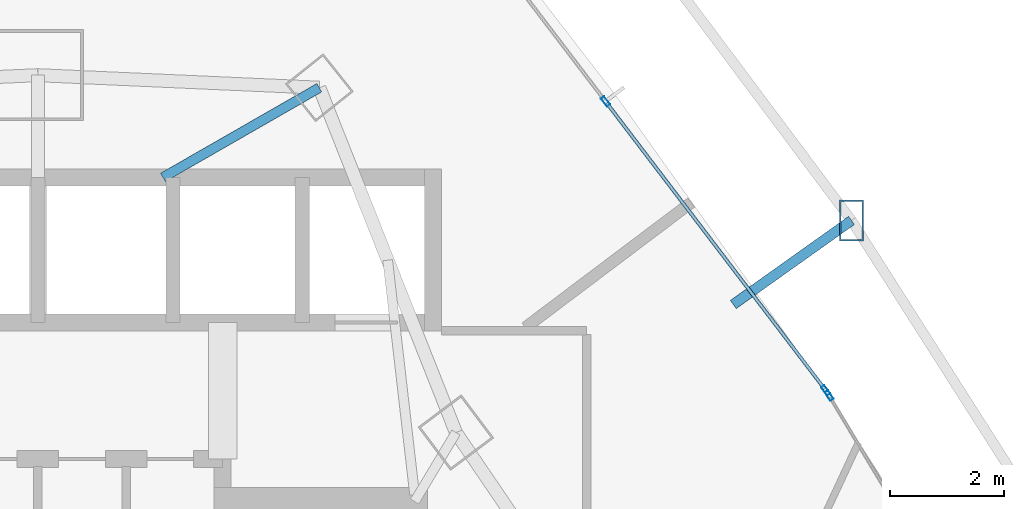
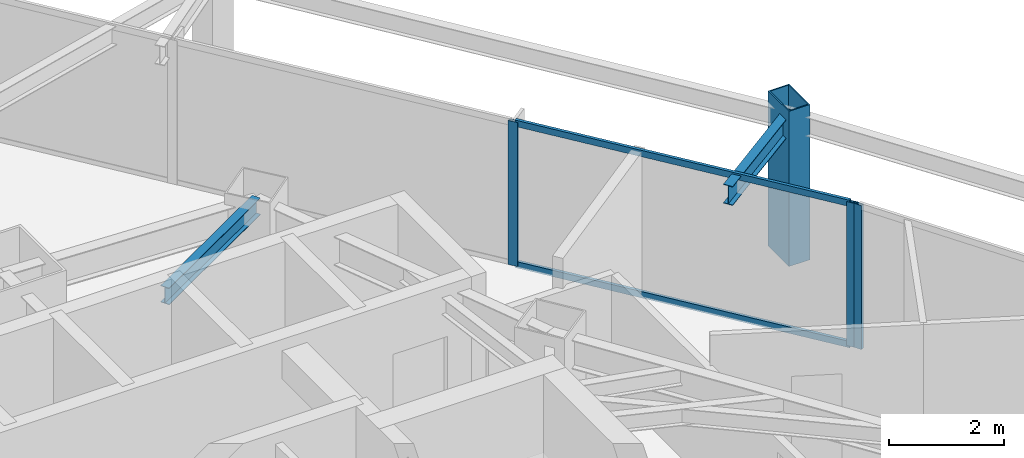
# One storey, part 29 of 38: 6 members, 2 beams, 2 elements without a shape of their own.
"""IFC4 building model written with IfcOpenShell, lengths in metres."""

from ifc_helpers import new_model, si_unit, direction, frame, origin, origin_2d, place, context, subcontext, project, spatial, hollow_rectangle, i_section, extrude, material, layer, layer_set, material_profile, profile_set, type_object, element, aggregate, save


model = new_model("IFC4")

# Units and contexts
model_context = context("Model", 3, precision=1e-05, world=origin(), true_north=direction((0.0, 1.0)))
body_context = subcontext(model_context, "Body", "Model", "MODEL_VIEW")
ifc_project = project(units=[si_unit("LENGTHUNIT", "METRE"), si_unit("AREAUNIT", "SQUARE_METRE"), si_unit("VOLUMEUNIT", "CUBIC_METRE"), si_unit("PLANEANGLEUNIT", "RADIAN"), si_unit("MASSUNIT", "GRAM", prefix="KILO")], contexts=[model_context])

# Site, building, storey
site_placement = place(None, origin())
site = spatial("IfcSite", under=ifc_project, at=site_placement, CompositionType="ELEMENT")
building_placement = place(site_placement, origin())
building = spatial("IfcBuilding", under=site, at=building_placement, Name="Orvanel Arch Residences", CompositionType="ELEMENT")
storey_placement = place(building_placement, frame((0.0, 0.0, 43.39990234375)))
storey = spatial("IfcBuildingStorey", under=building, at=storey_placement, Name="L11", CompositionType="ELEMENT", Elevation=43.39990234375)

# Beam
ifc_material_1 = material(Name="Structural steel AS/NZS 3679.1 Grade 300 (300 MPa)", Category="steel")
ifc_material_profile_1 = material_profile(ifc_material_1, i_section(OverallWidth=0.1708984375, OverallDepth=0.35595703125, WebThickness=0.00732421875, FlangeThickness=0.011474609375, at=origin_2d()), Name="360UB50.7")
ifc_profile_set_1 = profile_set([ifc_material_profile_1], Name="Structural steel AS/NZS 3679.1 Grade 300 (300 MPa)")
beam_type_1 = type_object("IfcBeamType", Name="BJ-360UB", PredefinedType="JOIST", material=ifc_profile_set_1)
beam_1_placement = place(storey_placement, frame((35.199951171875, 39.60009765625, 2.882080078125), z_axis=(0.86736513383, 0.497672306458, 0.0), x_axis=(-0.497672306458, 0.86736513383, 0.0)))
element("IfcBeam", 1, at=beam_1_placement, inside=storey, type_object=beam_type_1, Name="L11 MNE Wing Floor Joist", PredefinedType="JOIST", context=body_context, shape_type="SweptSolid", body=[
    extrude(i_section(OverallWidth=0.1708984375, OverallDepth=0.35595703125, WebThickness=0.00732421875, FlangeThickness=0.011474609375, at=origin_2d()), origin(), (0.0, 0.0, 1.0), 3.17041015625),
])

# Member
ifc_material_2 = material(Name="Structural steel AS/NZS 3678 Grade 350", Category="steel")
ifc_material_profile_2 = material_profile(ifc_material_2, hollow_rectangle(XDim=0.419921875, YDim=0.719970703125, WallThickness=0.02490234375, at=origin_2d()), Name="RHS720x420x25")
ifc_profile_set_2 = profile_set([ifc_material_profile_2], Name="Structural steel AS/NZS 3678 Grade 350")
member_type_1 = type_object("IfcMemberType", Name="CH-720RHS-EXT", PredefinedType="CHORD", material=ifc_profile_set_2)
member_1_placement = place(storey_placement, frame((47.30810546875, 38.843017578125, 0.0), z_axis=(0.0, 0.0, 1.0), x_axis=(1.0, 0.0, 0.0)))
element("IfcMember", 2, at=member_1_placement, inside=storey, type_object=member_type_1, Name="L11 Outer Perimeter Frame Post 11", PredefinedType="CHORD", context=body_context, shape_type="SweptSolid", body=[
    extrude(hollow_rectangle(XDim=0.419921875, YDim=0.719970703125, WallThickness=0.02490234375, at=origin_2d()), origin(), (0.0, 0.0, 1.0), 3.300048828125),
])

# Curtain wall, member
ifc_material_3 = material(Name="Bronze-anodised aluminium AA6063-T6", Category="aluminium")
ifc_layer = layer(ifc_material_3, 0.179931640625)
ifc_layer_set = layer_set([ifc_layer], Name="Bronze-anodised aluminium AA6063-T6")
curtain_wall_type = type_object("IfcCurtainWallType", Name="CW2-LOW-SYS", PredefinedType="NOTDEFINED", material=ifc_layer_set)
curtain_wall_1_placement = place(storey_placement, origin())
curtain_wall_1 = element("IfcCurtainWall", 3, at=curtain_wall_1_placement, inside=storey, type_object=curtain_wall_type, Name="L11 CW2-LOW-SYS Unitised Curtain Wall", PredefinedType="NOTDEFINED")
ifc_material_profile_3 = material_profile(ifc_material_3, hollow_rectangle(XDim=0.070068359375, YDim=0.179931640625, WallThickness=0.00439453125, at=origin_2d()), Name="ALU180x70x4.5")
ifc_profile_set_3 = profile_set([ifc_material_profile_3], Name="Bronze-anodised aluminium AA6063-T6")
member_type_2 = type_object("IfcMemberType", Name="MUL-180x70", PredefinedType="MULLION", material=ifc_profile_set_3)
member_2_placement = place(storey_placement, frame((46.916015625, 35.764892578125, 0.0), z_axis=(0.0, 0.0, 1.0), x_axis=(-0.857569020053, -0.514368910263, 0.0)))
member_2 = element("IfcMember", 4, at=member_2_placement, type_object=member_type_2, Name="CW-S2 mullion 3", PredefinedType="MULLION", context=body_context, shape_type="SweptSolid", body=[
    extrude(hollow_rectangle(XDim=0.070068359375, YDim=0.179931640625, WallThickness=0.00439453125, at=origin_2d()), origin(), (0.0, 0.0, 1.0), 3.06005859375),
])
aggregate(curtain_wall_1, [member_2])

# Curtain wall, members
curtain_wall_2_placement = place(storey_placement, origin())
curtain_wall_2 = element("IfcCurtainWall", 5, at=curtain_wall_2_placement, inside=storey, type_object=curtain_wall_type, Name="L11 CW2-LOW-SYS Unitised Curtain Wall", PredefinedType="NOTDEFINED")
member_3_placement = place(storey_placement, frame((46.854736328125, 35.85595703125, 0.0), z_axis=(0.0, 0.0, 1.0), x_axis=(-0.795336402585, -0.606168299009, 0.0)))
member_3 = element("IfcMember", 6, at=member_3_placement, type_object=member_type_2, Name="CW-S2 mullion 1", PredefinedType="MULLION", context=body_context, shape_type="SweptSolid", body=[
    extrude(hollow_rectangle(XDim=0.070068359375, YDim=0.179931640625, WallThickness=0.00439453125, at=origin_2d()), origin(), (0.0, 0.0, 1.0), 3.06005859375),
])
member_4_placement = place(storey_placement, frame((42.982666015625, 40.936279296875, 0.0), z_axis=(0.0, 0.0, 1.0), x_axis=(-0.795336402585, -0.606168299009, 0.0)))
member_4 = element("IfcMember", 7, at=member_4_placement, type_object=member_type_2, Name="CW-S2 mullion 2", PredefinedType="MULLION", context=body_context, shape_type="SweptSolid", body=[
    extrude(hollow_rectangle(XDim=0.070068359375, YDim=0.179931640625, WallThickness=0.00439453125, at=origin_2d()), origin(), (0.0, 0.0, 1.0), 3.06005859375),
])

# Beam
ifc_material_profile_4 = material_profile(ifc_material_1, i_section(OverallWidth=0.177978515625, OverallDepth=0.406005859375, WebThickness=0.0078125, FlangeThickness=0.0126953125, at=origin_2d()), Name="410UB59.7")
ifc_profile_set_4 = profile_set([ifc_material_profile_4], Name="Structural steel AS/NZS 3679.1 Grade 300 (300 MPa)")
beam_type_2 = type_object("IfcBeamType", Name="OB-410UB-EXT", PredefinedType="SPANDREL", material=ifc_profile_set_4)
beam_2_placement = place(storey_placement, frame((45.22998046875, 37.364990234375, 2.857177734375), z_axis=(0.81490910219, 0.579588781092, 0.0), x_axis=(-0.579588781092, 0.81490910219, 0.0)))
element("IfcBeam", 8, at=beam_2_placement, inside=storey, type_object=beam_type_2, Name="L11 Outer Frame Radial Tie Beam 11", PredefinedType="SPANDREL", context=body_context, shape_type="SweptSolid", body=[
    extrude(i_section(OverallWidth=0.177978515625, OverallDepth=0.406005859375, WebThickness=0.0078125, FlangeThickness=0.0126953125, at=origin_2d()), origin(), (0.0, 0.0, 1.0), 2.550048828125),
])

# Member
ifc_material_profile_5 = material_profile(ifc_material_3, hollow_rectangle(XDim=0.06005859375, YDim=0.135009765625, WallThickness=0.00390625, at=origin_2d()), Name="ALU135x60x4")
ifc_profile_set_5 = profile_set([ifc_material_profile_5], Name="Bronze-anodised aluminium AA6063-T6")
member_type_3 = type_object("IfcMemberType", Name="TRN-135x60", PredefinedType="USERDEFINED", material=ifc_profile_set_5)
member_5_placement = place(storey_placement, frame((46.83349609375, 35.8837890625, 0.030029296875), z_axis=(-0.606171281812, 0.795334129222, 0.0), x_axis=(-0.795334129222, -0.606171281812, 0.0)))
member_5 = element("IfcMember", 9, at=member_5_placement, type_object=member_type_3, Name="CW-S2 transom 1.1", ObjectType="TRANSOM", PredefinedType="USERDEFINED", context=body_context, shape_type="SweptSolid", body=[
    extrude(hollow_rectangle(XDim=0.06005859375, YDim=0.135009765625, WallThickness=0.00390625, at=origin_2d()), origin(), (0.0, 0.0, 1.0), 6.317626953125),
])

member_6_placement = place(storey_placement, frame((46.83349609375, 35.8837890625, 3.030029296875), z_axis=(-0.606171281812, 0.795334129222, 0.0), x_axis=(-0.795334129222, -0.606171281812, 0.0)))
member_6 = element("IfcMember", 10, at=member_6_placement, type_object=member_type_3, Name="CW-S2 transom 1.2", ObjectType="TRANSOM", PredefinedType="USERDEFINED", context=body_context, shape_type="SweptSolid", body=[
    extrude(hollow_rectangle(XDim=0.06005859375, YDim=0.135009765625, WallThickness=0.00390625, at=origin_2d()), origin(), (0.0, 0.0, 1.0), 6.317626953125),
])

aggregate(curtain_wall_2, [member_3, member_4, member_5, member_6])

save(model, "model.ifc")
